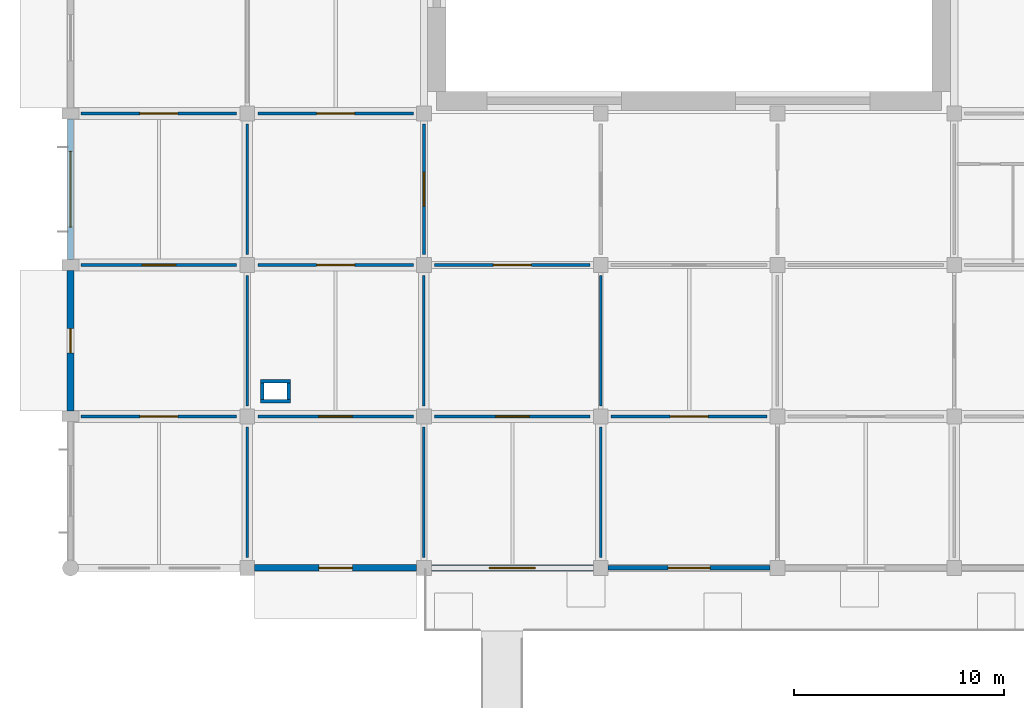
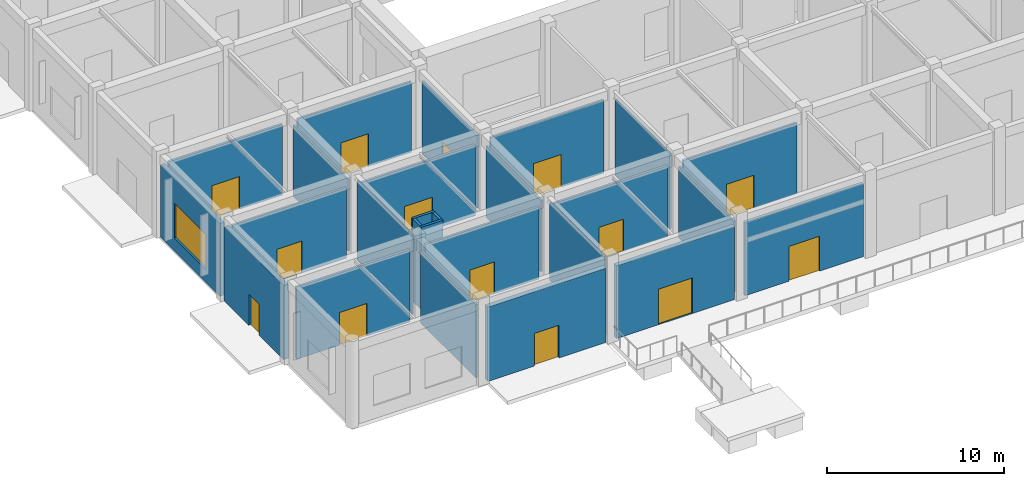
# One storey, part 12 of 39: 26 walls, 14 doors, 1 window, 15 openings.
"""IFC4 building model written with IfcOpenShell, lengths in metres."""

from ifc_helpers import new_model, si_unit, derived_unit, direction, frame, frame_2d, origin, place, context, subcontext, project, spatial, rectangle, extrude, material, layer, layer_set, type_object, element, fill, save


model = new_model("IFC4")

# Units and contexts
model_context = context("Model", 3, precision=1e-05, world=origin(), true_north=direction((0.0, 1.0)))
body_context = subcontext(model_context, "Body", "Model", "MODEL_VIEW")
ifc_project = project(units=[si_unit("LENGTHUNIT", "METRE"), si_unit("AREAUNIT", "SQUARE_METRE"), si_unit("VOLUMEUNIT", "CUBIC_METRE"), si_unit("PLANEANGLEUNIT", "RADIAN"), si_unit("MASSUNIT", "GRAM", prefix="KILO"), derived_unit("THERMALTRANSMITTANCEUNIT", [(si_unit("MASSUNIT", "GRAM", prefix="KILO"), 1), (si_unit("TIMEUNIT", "SECOND"), -3), (si_unit("THERMODYNAMICTEMPERATUREUNIT", "KELVIN"), -1)])], contexts=[model_context])

# Site, building, storey
site_placement = place(None, origin())
site = spatial("IfcSite", under=ifc_project, at=site_placement, CompositionType="ELEMENT")
building_placement = place(site_placement, origin())
building = spatial("IfcBuilding", under=site, at=building_placement, Name="Veldstrom Oceanarium and Marine Research Institute", CompositionType="ELEMENT")
storey_placement = place(building_placement, origin())
storey = spatial("IfcBuildingStorey", under=building, at=storey_placement, Name="L00", CompositionType="ELEMENT", Elevation=0.0)

# Wall, opening, door
ifc_material_1 = material(Name="Masonry Cavity Wall", Category="masonry")
ifc_layer_1 = layer(ifc_material_1, 0.31005859375)
ifc_layer_set_1 = layer_set([ifc_layer_1], Name="ARC-WAL-EW1")
wall_type_1 = type_object("IfcWallType", Name="ARC-WAL-EW1", PredefinedType="SOLIDWALL", material=ifc_layer_set_1)
wall_1_placement = place(storey_placement, frame((0.0, 7.449951171875, 0.0), z_axis=(0.0, 0.0, 1.0), x_axis=(0.0, 1.0, 0.0)))
wall_1 = element("IfcWall", 1, at=wall_1_placement, inside=storey, type_object=wall_type_1, Name="Exterior Facade Wall EW1 L00-003", PredefinedType="SOLIDWALL", context=body_context, shape_type="SweptSolid", body=[
    extrude(rectangle(XDim=6.699951171875, YDim=0.31005859375, at=frame_2d((3.35009765625, 0.0))), origin(), (0.0, 0.0, 1.0), 5.1201171875),
])
opening_1_placement = place(wall_1_placement, frame((2.77490234375, 0.0, 0.0)))
opening_1 = element("IfcOpeningElement", 2, at=opening_1_placement, cuts=wall_1, Name="Opening D-L00-001", PredefinedType="OPENING", context=body_context, shape_type="SweptSolid", body=[
    extrude(rectangle(XDim=1.14990234375, YDim=2.14990234375, at=frame_2d((0.574951171875, 1.074951171875))), frame((0.0, 0.1650390625, 0.0), z_axis=(0.0, -1.0, 0.0), x_axis=(1.0, 0.0, 0.0)), (0.0, 0.0, 1.0), 0.330078125),
])
ifc_material_2 = material(Name="Painted Galvanised Steel Exit Door", Category="steel")
door_type_1 = type_object("IfcDoorType", Name="ARC-DOR-ED5", OperationType="SINGLE_SWING_RIGHT", PredefinedType="DOOR", material=ifc_material_2)
door_1_placement = place(opening_1_placement, origin())
door_1 = element("IfcDoor", 3, at=door_1_placement, inside=storey, type_object=door_type_1, Name="Street Entrance / Exit Door D-L00-001", OperationType="SINGLE_SWING_LEFT", OverallHeight=2.14990234375, OverallWidth=1.14990234375, PredefinedType="DOOR", context=body_context, shape_type="SweptSolid", body=[
    extrude(rectangle(XDim=1.14990234375, YDim=2.14990234375, at=frame_2d((0.574951171875, 1.074951171875))), frame((0.0, 0.02490234375, 0.0), z_axis=(0.0, -1.0, 0.0), x_axis=(1.0, 0.0, 0.0)), (0.0, 0.0, 1.0), 0.050048828125),
])
fill(opening_1, door_1)

wall_2_placement = place(storey_placement, frame((8.75, 0.0, 0.0), z_axis=(0.0, 0.0, 1.0), x_axis=(1.0, 0.0, 0.0)))
wall_2 = element("IfcWall", 4, at=wall_2_placement, inside=storey, type_object=wall_type_1, Name="Exterior Facade Wall EW1 L00-013", PredefinedType="SOLIDWALL", context=body_context, shape_type="SweptSolid", body=[
    extrude(rectangle(XDim=7.699951171875, YDim=0.31005859375, at=frame_2d((3.85009765625, 0.0))), origin(), (0.0, 0.0, 1.0), 5.1201171875),
])
opening_2_placement = place(wall_2_placement, frame((3.050048828125, 0.0, 0.0)))
opening_2 = element("IfcOpeningElement", 5, at=opening_2_placement, cuts=wall_2, Name="Opening D-L00-005", PredefinedType="OPENING", context=body_context, shape_type="SweptSolid", body=[
    extrude(rectangle(XDim=1.60009765625, YDim=2.25, at=frame_2d((0.800048828125, 1.125))), frame((0.0, 0.1650390625, 0.0), z_axis=(0.0, -1.0, 0.0), x_axis=(1.0, 0.0, 0.0)), (0.0, 0.0, 1.0), 0.330078125),
])
ifc_material_3 = material(Name="Painted Galvanised Steel Door", Category="steel")
door_type_2 = type_object("IfcDoorType", Name="ARC-DOR-ED3", OperationType="DOUBLE_DOOR_SINGLE_SWING", PredefinedType="DOOR", material=ifc_material_3)
door_2_placement = place(opening_2_placement, frame((1.60009765625, 0.0, 0.0), z_axis=(0.0, 0.0, 1.0), x_axis=(-1.0, 0.0, 0.0)))
door_2 = element("IfcDoor", 6, at=door_2_placement, inside=storey, type_object=door_type_2, Name="Street Entrance / Exit Door D-L00-005", OperationType="DOUBLE_DOOR_SINGLE_SWING", OverallHeight=2.25, OverallWidth=1.60009765625, PredefinedType="DOOR", context=body_context, shape_type="SweptSolid", body=[
    extrude(rectangle(XDim=1.60009765625, YDim=2.25, at=frame_2d((0.800048828125, 1.125))), frame((0.0, 0.02490234375, 0.0), z_axis=(0.0, -1.0, 0.0), x_axis=(1.0, 0.0, 0.0)), (0.0, 0.0, 1.0), 0.050048828125),
])
fill(opening_2, door_2)

# Wall, opening, window
ifc_material_4 = material(Name="Masonry Cavity Wall", Category="masonry")
ifc_layer_2 = layer(ifc_material_4, 0.2900390625)
ifc_layer_set_2 = layer_set([ifc_layer_2], Name="ARC-WAL-EW2")
wall_type_2 = type_object("IfcWallType", Name="ARC-WAL-EW2", PredefinedType="SOLIDWALL", material=ifc_layer_set_2)
wall_3_placement = place(storey_placement, frame((0.0, 14.64990234375, 0.0), z_axis=(0.0, 0.0, 1.0), x_axis=(0.0, 1.0, 0.0)))
wall_3 = element("IfcWall", 7, at=wall_3_placement, inside=storey, type_object=wall_type_2, Name="Exterior Facade Wall EW2 L00-004", PredefinedType="SOLIDWALL", context=body_context, shape_type="SweptSolid", body=[
    extrude(rectangle(XDim=6.7001953125, YDim=0.2900390625, at=frame_2d((3.35009765625, 0.0))), origin(), (0.0, 0.0, 1.0), 5.02001953125),
])
opening_3_placement = place(wall_3_placement, frame((1.550048828125, 0.0, 0.89990234375)))
opening_3 = element("IfcOpeningElement", 8, at=opening_3_placement, cuts=wall_3, Name="Opening W11", PredefinedType="OPENING", context=body_context, shape_type="SweptSolid", body=[
    extrude(rectangle(XDim=3.60009765625, YDim=2.39990234375, at=frame_2d((1.800048828125, 1.199951171875))), frame((0.0, 0.155029296875, 0.0), z_axis=(0.0, -1.0, 0.0), x_axis=(1.0, 0.0, 0.0)), (0.0, 0.0, 1.0), 0.31005859375),
])
ifc_material_5 = material(Name="Double Glazed Low-E IGU", Category="glass")
window_type = type_object("IfcWindowType", Name="ARC-WIN-W11", PartitioningType="SINGLE_PANEL", PredefinedType="WINDOW", material=ifc_material_5)
window_placement = place(opening_3_placement, origin())
window = element("IfcWindow", 9, at=window_placement, inside=storey, type_object=window_type, Name="Facade Window W11 L00-0004", OverallHeight=2.39990234375, OverallWidth=3.60009765625, PartitioningType="SINGLE_PANEL", PredefinedType="WINDOW", context=body_context, shape_type="SweptSolid", body=[
    extrude(rectangle(XDim=3.60009765625, YDim=2.39990234375, at=frame_2d((1.800048828125, 1.199951171875))), frame((0.0, 0.030029296875, 0.0), z_axis=(0.0, -1.0, 0.0), x_axis=(1.0, 0.0, 0.0)), (0.0, 0.0, 1.0), 0.06005859375),
])
fill(opening_3, window)

# Wall, opening, door
ifc_material_6 = material(Name="Masonry Cavity Wall", Category="masonry")
ifc_layer_3 = layer(ifc_material_6, 0.27001953125)
ifc_layer_set_3 = layer_set([ifc_layer_3], Name="ARC-WAL-EW3")
wall_type_3 = type_object("IfcWallType", Name="ARC-WAL-EW3", PredefinedType="SOLIDWALL", material=ifc_layer_set_3)
wall_4_placement = place(storey_placement, frame((17.14990234375, 0.0, 0.0), z_axis=(0.0, 0.0, 1.0), x_axis=(1.0, 0.0, 0.0)))
wall_4 = element("IfcWall", 10, at=wall_4_placement, inside=storey, type_object=wall_type_3, Name="Exterior Facade Wall EW3 L00-015", PredefinedType="SOLIDWALL", context=body_context, shape_type="SweptSolid", body=[
    extrude(rectangle(XDim=7.7001953125, YDim=0.27001953125, at=frame_2d((3.85009765625, 0.0))), origin(), (0.0, 0.0, 1.0), 5.02001953125),
])
opening_4_placement = place(wall_4_placement, frame((2.75, 0.0, 0.0)))
opening_4 = element("IfcOpeningElement", 11, at=opening_4_placement, cuts=wall_4, Name="Opening D-L00-006", PredefinedType="OPENING", context=body_context, shape_type="SweptSolid", body=[
    extrude(rectangle(XDim=2.199951171875, YDim=2.449951171875, at=frame_2d((1.10009765625, 1.22509765625))), frame((0.0, 0.14501953125, 0.0), z_axis=(0.0, -1.0, 0.0), x_axis=(1.0, 0.0, 0.0)), (0.0, 0.0, 1.0), 0.2900390625),
])
ifc_material_7 = material(Name="Anodised Aluminium Main Entrance Door", Category="aluminium")
door_type_3 = type_object("IfcDoorType", Name="ARC-DOR-ED6", OperationType="DOUBLE_DOOR_SINGLE_SWING", PredefinedType="DOOR", material=ifc_material_7)
door_3_placement = place(opening_4_placement, frame((2.199951171875, 0.0, 0.0), z_axis=(0.0, 0.0, 1.0), x_axis=(-1.0, 0.0, 0.0)))
door_3 = element("IfcDoor", 12, at=door_3_placement, inside=storey, type_object=door_type_3, Name="Street Entrance / Exit Door D-L00-006", OperationType="DOUBLE_DOOR_SINGLE_SWING", OverallHeight=2.449951171875, OverallWidth=2.199951171875, PredefinedType="DOOR", context=body_context, shape_type="SweptSolid", body=[
    extrude(rectangle(XDim=2.199951171875, YDim=2.449951171875, at=frame_2d((1.10009765625, 1.22509765625))), frame((0.0, 0.02490234375, 0.0), z_axis=(0.0, -1.0, 0.0), x_axis=(1.0, 0.0, 0.0)), (0.0, 0.0, 1.0), 0.050048828125),
])
fill(opening_4, door_3)

ifc_material_8 = material(Name="Masonry Cavity Wall", Category="masonry")
ifc_layer_4 = layer(ifc_material_8, 0.215087890625)
ifc_layer_set_4 = layer_set([ifc_layer_4], Name="ARC-WAL-EW6")
wall_type_4 = type_object("IfcWallType", Name="ARC-WAL-EW6", PredefinedType="SOLIDWALL", material=ifc_layer_set_4)
wall_5_placement = place(storey_placement, frame((25.550048828125, 0.0, 0.0), z_axis=(0.0, 0.0, 1.0), x_axis=(1.0, 0.0, 0.0)))
wall_5 = element("IfcWall", 13, at=wall_5_placement, inside=storey, type_object=wall_type_4, Name="Exterior Facade Wall EW6 L00-017", PredefinedType="SOLIDWALL", context=body_context, shape_type="SweptSolid", body=[
    extrude(rectangle(XDim=7.699951171875, YDim=0.215087890625, at=frame_2d((3.85009765625, 0.0))), origin(), (0.0, 0.0, 1.0), 5.02001953125),
])
opening_5_placement = place(wall_5_placement, frame((2.85009765625, 0.0, 0.0)))
opening_5 = element("IfcOpeningElement", 14, at=opening_5_placement, cuts=wall_5, Name="Opening D-L00-007", PredefinedType="OPENING", context=body_context, shape_type="SweptSolid", body=[
    extrude(rectangle(XDim=2.0, YDim=2.39990234375, at=frame_2d((1.0, 1.199951171875))), frame((0.0, 0.117431640625, 0.0), z_axis=(0.0, -1.0, 0.0), x_axis=(1.0, 0.0, 0.0)), (0.0, 0.0, 1.0), 0.235107421875),
])
ifc_material_9 = material(Name="Anodised Aluminium Glazed Door", Category="aluminium")
door_type_4 = type_object("IfcDoorType", Name="ARC-DOR-ED1", OperationType="DOUBLE_DOOR_SINGLE_SWING", PredefinedType="DOOR", material=ifc_material_9)
door_4_placement = place(opening_5_placement, frame((2.0, 0.0, 0.0), z_axis=(0.0, 0.0, 1.0), x_axis=(-1.0, 0.0, 0.0)))
door_4 = element("IfcDoor", 15, at=door_4_placement, inside=storey, type_object=door_type_4, Name="Street Entrance / Exit Door D-L00-007", OperationType="DOUBLE_DOOR_SINGLE_SWING", OverallHeight=2.39990234375, OverallWidth=2.0, PredefinedType="DOOR", context=body_context, shape_type="SweptSolid", body=[
    extrude(rectangle(XDim=2.0, YDim=2.39990234375, at=frame_2d((1.0, 1.199951171875))), frame((0.0, 0.02490234375, 0.0), z_axis=(0.0, -1.0, 0.0), x_axis=(1.0, 0.0, 0.0)), (0.0, 0.0, 1.0), 0.050048828125),
])
fill(opening_5, door_4)

ifc_material_10 = material(Name="Drywall Corridor Partition", Category="gypsum")
ifc_layer_5 = layer(ifc_material_10, 0.155029296875)
ifc_layer_set_5 = layer_set([ifc_layer_5], Name="ARC-WAL-PT4")
wall_type_5 = type_object("IfcWallType", Name="ARC-WAL-PT4", PredefinedType="PARTITIONING", material=ifc_layer_set_5)
wall_6_placement = place(storey_placement, frame((0.5, 7.199951171875, 0.0), z_axis=(0.0, 0.0, 1.0), x_axis=(1.0, 0.0, 0.0)))
wall_6 = element("IfcWall", 16, at=wall_6_placement, inside=storey, type_object=wall_type_5, Name="Interior Partition PT4 L00-0572", PredefinedType="PARTITIONING", context=body_context, shape_type="SweptSolid", body=[
    extrude(rectangle(XDim=7.39990234375, YDim=0.155029296875, at=frame_2d((3.699951171875, 0.0))), origin(), (0.0, 0.0, 1.0), 4.969970703125),
])
opening_6_placement = place(wall_6_placement, frame((2.800048828125, 0.0, 0.0)))
opening_6 = element("IfcOpeningElement", 17, at=opening_6_placement, cuts=wall_6, Name="Opening D-L00-334", PredefinedType="OPENING", context=body_context, shape_type="SweptSolid", body=[
    extrude(rectangle(XDim=1.800048828125, YDim=2.25, at=frame_2d((0.89990234375, 1.125))), frame((0.0, 0.08740234375, 0.0), z_axis=(0.0, -1.0, 0.0), x_axis=(1.0, 0.0, 0.0)), (0.0, 0.0, 1.0), 0.175048828125),
])
ifc_material_11 = material(Name="Acoustic Timber Gallery Door", Category="wood")
door_type_5 = type_object("IfcDoorType", Name="ARC-DOR-ID01", OperationType="DOUBLE_DOOR_SINGLE_SWING", PredefinedType="DOOR", material=ifc_material_11)
door_5_placement = place(opening_6_placement, origin())
door_5 = element("IfcDoor", 18, at=door_5_placement, inside=storey, type_object=door_type_5, Name="Interior Door D-L00-334", OperationType="DOUBLE_DOOR_SINGLE_SWING", OverallHeight=2.25, OverallWidth=1.800048828125, PredefinedType="DOOR", context=body_context, shape_type="SweptSolid", body=[
    extrude(rectangle(XDim=1.800048828125, YDim=2.25, at=frame_2d((0.89990234375, 1.125))), frame((0.0, 0.02490234375, 0.0), z_axis=(0.0, -1.0, 0.0), x_axis=(1.0, 0.0, 0.0)), (0.0, 0.0, 1.0), 0.050048828125),
])
fill(opening_6, door_5)

wall_7_placement = place(storey_placement, frame((0.5, 21.60009765625, 0.0), z_axis=(0.0, 0.0, 1.0), x_axis=(1.0, 0.0, 0.0)))
wall_7 = element("IfcWall", 19, at=wall_7_placement, inside=storey, type_object=wall_type_5, Name="Interior Partition PT4 L00-0576", PredefinedType="PARTITIONING", context=body_context, shape_type="SweptSolid", body=[
    extrude(rectangle(XDim=7.39990234375, YDim=0.155029296875, at=frame_2d((3.699951171875, 0.0))), origin(), (0.0, 0.0, 1.0), 4.8701171875),
])
opening_7_placement = place(wall_7_placement, frame((2.800048828125, 0.0, 0.0)))
opening_7 = element("IfcOpeningElement", 20, at=opening_7_placement, cuts=wall_7, Name="Opening D-L00-336", PredefinedType="OPENING", context=body_context, shape_type="SweptSolid", body=[
    extrude(rectangle(XDim=1.800048828125, YDim=2.25, at=frame_2d((0.89990234375, 1.125))), frame((0.0, 0.08740234375, 0.0), z_axis=(0.0, -1.0, 0.0), x_axis=(1.0, 0.0, 0.0)), (0.0, 0.0, 1.0), 0.175048828125),
])
door_6_placement = place(opening_7_placement, origin())
door_6 = element("IfcDoor", 21, at=door_6_placement, inside=storey, type_object=door_type_5, Name="Interior Door D-L00-336", OperationType="DOUBLE_DOOR_SINGLE_SWING", OverallHeight=2.25, OverallWidth=1.800048828125, PredefinedType="DOOR", context=body_context, shape_type="SweptSolid", body=[
    extrude(rectangle(XDim=1.800048828125, YDim=2.25, at=frame_2d((0.89990234375, 1.125))), frame((0.0, 0.02490234375, 0.0), z_axis=(0.0, -1.0, 0.0), x_axis=(1.0, 0.0, 0.0)), (0.0, 0.0, 1.0), 0.050048828125),
])
fill(opening_7, door_6)

wall_8_placement = place(storey_placement, frame((8.89990234375, 14.39990234375, 0.0), z_axis=(0.0, 0.0, 1.0), x_axis=(1.0, 0.0, 0.0)))
wall_8 = element("IfcWall", 22, at=wall_8_placement, inside=storey, type_object=wall_type_5, Name="Interior Partition PT4 L00-0593", PredefinedType="PARTITIONING", context=body_context, shape_type="SweptSolid", body=[
    extrude(rectangle(XDim=7.400146484375, YDim=0.155029296875, at=frame_2d((3.7001953125, 0.0))), origin(), (0.0, 0.0, 1.0), 4.8701171875),
])
opening_8_placement = place(wall_8_placement, frame((2.800048828125, 0.0, 0.0)))
opening_8 = element("IfcOpeningElement", 23, at=opening_8_placement, cuts=wall_8, Name="Opening D-L00-346", PredefinedType="OPENING", context=body_context, shape_type="SweptSolid", body=[
    extrude(rectangle(XDim=1.800048828125, YDim=2.25, at=frame_2d((0.89990234375, 1.125))), frame((0.0, 0.08740234375, 0.0), z_axis=(0.0, -1.0, 0.0), x_axis=(1.0, 0.0, 0.0)), (0.0, 0.0, 1.0), 0.175048828125),
])
door_7_placement = place(opening_8_placement, frame((1.800048828125, 0.0, 0.0), z_axis=(0.0, 0.0, 1.0), x_axis=(-1.0, 0.0, 0.0)))
door_7 = element("IfcDoor", 24, at=door_7_placement, inside=storey, type_object=door_type_5, Name="Interior Door D-L00-346", OperationType="DOUBLE_DOOR_SINGLE_SWING", OverallHeight=2.25, OverallWidth=1.800048828125, PredefinedType="DOOR", context=body_context, shape_type="SweptSolid", body=[
    extrude(rectangle(XDim=1.800048828125, YDim=2.25, at=frame_2d((0.89990234375, 1.125))), frame((0.0, 0.02490234375, 0.0), z_axis=(0.0, -1.0, 0.0), x_axis=(1.0, 0.0, 0.0)), (0.0, 0.0, 1.0), 0.050048828125),
])
fill(opening_8, door_7)

wall_9_placement = place(storey_placement, frame((17.300048828125, 7.199951171875, 0.0), z_axis=(0.0, 0.0, 1.0), x_axis=(1.0, 0.0, 0.0)))
wall_9 = element("IfcWall", 25, at=wall_9_placement, inside=storey, type_object=wall_type_5, Name="Interior Partition PT4 L00-0608", PredefinedType="PARTITIONING", context=body_context, shape_type="SweptSolid", body=[
    extrude(rectangle(XDim=7.39990234375, YDim=0.155029296875, at=frame_2d((3.699951171875, 0.0))), origin(), (0.0, 0.0, 1.0), 4.8701171875),
])
opening_9_placement = place(wall_9_placement, frame((2.89990234375, 0.0, 0.0)))
opening_9 = element("IfcOpeningElement", 26, at=opening_9_placement, cuts=wall_9, Name="Opening D-L00-355", PredefinedType="OPENING", context=body_context, shape_type="SweptSolid", body=[
    extrude(rectangle(XDim=1.60009765625, YDim=2.199951171875, at=frame_2d((0.800048828125, 1.10009765625))), frame((0.0, 0.08740234375, 0.0), z_axis=(0.0, -1.0, 0.0), x_axis=(1.0, 0.0, 0.0)), (0.0, 0.0, 1.0), 0.175048828125),
])
ifc_material_12 = material(Name="Acoustic Timber Corridor Door", Category="wood")
door_type_6 = type_object("IfcDoorType", Name="ARC-DOR-ID02", OperationType="DOUBLE_DOOR_SINGLE_SWING", PredefinedType="DOOR", material=ifc_material_12)
door_8_placement = place(opening_9_placement, frame((1.60009765625, 0.0, 0.0), z_axis=(0.0, 0.0, 1.0), x_axis=(-1.0, 0.0, 0.0)))
door_8 = element("IfcDoor", 27, at=door_8_placement, inside=storey, type_object=door_type_6, Name="Interior Door D-L00-355", OperationType="DOUBLE_DOOR_SINGLE_SWING", OverallHeight=2.199951171875, OverallWidth=1.60009765625, PredefinedType="DOOR", context=body_context, shape_type="SweptSolid", body=[
    extrude(rectangle(XDim=1.60009765625, YDim=2.199951171875, at=frame_2d((0.800048828125, 1.10009765625))), frame((0.0, 0.02490234375, 0.0), z_axis=(0.0, -1.0, 0.0), x_axis=(1.0, 0.0, 0.0)), (0.0, 0.0, 1.0), 0.050048828125),
])
fill(opening_9, door_8)

ifc_material_13 = material(Name="Moisture-Resistant Wet-Area Partition", Category="masonry")
ifc_layer_6 = layer(ifc_material_13, 0.139892578125)
ifc_layer_set_6 = layer_set([ifc_layer_6], Name="ARC-WAL-PT5")
wall_type_6 = type_object("IfcWallType", Name="ARC-WAL-PT5", PredefinedType="PARTITIONING", material=ifc_layer_set_6)
wall_10_placement = place(storey_placement, frame((0.5, 14.39990234375, 0.0), z_axis=(0.0, 0.0, 1.0), x_axis=(1.0, 0.0, 0.0)))
wall_10 = element("IfcWall", 28, at=wall_10_placement, inside=storey, type_object=wall_type_6, Name="Interior Partition PT5 L00-0574", PredefinedType="PARTITIONING", context=body_context, shape_type="SweptSolid", body=[
    extrude(rectangle(XDim=7.39990234375, YDim=0.139892578125, at=frame_2d((3.699951171875, 0.0))), origin(), (0.0, 0.0, 1.0), 4.8701171875),
])
opening_10_placement = place(wall_10_placement, frame((2.89990234375, 0.0, 0.0)))
opening_10 = element("IfcOpeningElement", 29, at=opening_10_placement, cuts=wall_10, Name="Opening D-L00-335", PredefinedType="OPENING", context=body_context, shape_type="SweptSolid", body=[
    extrude(rectangle(XDim=1.60009765625, YDim=2.199951171875, at=frame_2d((0.800048828125, 1.10009765625))), frame((0.0, 0.079833984375, 0.0), z_axis=(0.0, -1.0, 0.0), x_axis=(1.0, 0.0, 0.0)), (0.0, 0.0, 1.0), 0.159912109375),
])
door_9_placement = place(opening_10_placement, frame((1.60009765625, 0.0, 0.0), z_axis=(0.0, 0.0, 1.0), x_axis=(-1.0, 0.0, 0.0)))
door_9 = element("IfcDoor", 30, at=door_9_placement, inside=storey, type_object=door_type_6, Name="Interior Door D-L00-335", OperationType="DOUBLE_DOOR_SINGLE_SWING", OverallHeight=2.199951171875, OverallWidth=1.60009765625, PredefinedType="DOOR", context=body_context, shape_type="SweptSolid", body=[
    extrude(rectangle(XDim=1.60009765625, YDim=2.199951171875, at=frame_2d((0.800048828125, 1.10009765625))), frame((0.0, 0.02490234375, 0.0), z_axis=(0.0, -1.0, 0.0), x_axis=(1.0, 0.0, 0.0)), (0.0, 0.0, 1.0), 0.050048828125),
])
fill(opening_10, door_9)

wall_11_placement = place(storey_placement, frame((8.89990234375, 7.199951171875, 0.0), z_axis=(0.0, 0.0, 1.0), x_axis=(1.0, 0.0, 0.0)))
wall_11 = element("IfcWall", 31, at=wall_11_placement, inside=storey, type_object=wall_type_6, Name="Interior Partition PT5 L00-0591", PredefinedType="PARTITIONING", context=body_context, shape_type="SweptSolid", body=[
    extrude(rectangle(XDim=7.400146484375, YDim=0.139892578125, at=frame_2d((3.7001953125, 0.0))), origin(), (0.0, 0.0, 1.0), 4.969970703125),
])
opening_11_placement = place(wall_11_placement, frame((2.89990234375, 0.0, 0.0)))
opening_11 = element("IfcOpeningElement", 32, at=opening_11_placement, cuts=wall_11, Name="Opening D-L00-345", PredefinedType="OPENING", context=body_context, shape_type="SweptSolid", body=[
    extrude(rectangle(XDim=1.60009765625, YDim=2.199951171875, at=frame_2d((0.800048828125, 1.10009765625))), frame((0.0, 0.079833984375, 0.0), z_axis=(0.0, -1.0, 0.0), x_axis=(1.0, 0.0, 0.0)), (0.0, 0.0, 1.0), 0.159912109375),
])
door_10_placement = place(opening_11_placement, frame((1.60009765625, 0.0, 0.0), z_axis=(0.0, 0.0, 1.0), x_axis=(-1.0, 0.0, 0.0)))
door_10 = element("IfcDoor", 33, at=door_10_placement, inside=storey, type_object=door_type_6, Name="Interior Door D-L00-345", OperationType="DOUBLE_DOOR_SINGLE_SWING", OverallHeight=2.199951171875, OverallWidth=1.60009765625, PredefinedType="DOOR", context=body_context, shape_type="SweptSolid", body=[
    extrude(rectangle(XDim=1.60009765625, YDim=2.199951171875, at=frame_2d((0.800048828125, 1.10009765625))), frame((0.0, 0.02490234375, 0.0), z_axis=(0.0, -1.0, 0.0), x_axis=(1.0, 0.0, 0.0)), (0.0, 0.0, 1.0), 0.050048828125),
])
fill(opening_11, door_10)

wall_12_placement = place(storey_placement, frame((16.800048828125, 14.89990234375, 0.0), z_axis=(0.0, 0.0, 1.0), x_axis=(0.0, 1.0, 0.0)))
wall_12 = element("IfcWall", 34, at=wall_12_placement, inside=storey, type_object=wall_type_6, Name="Interior Partition PT5 L00-0594", PredefinedType="PARTITIONING", context=body_context, shape_type="SweptSolid", body=[
    extrude(rectangle(XDim=6.2001953125, YDim=0.139892578125, at=frame_2d((3.10009765625, 0.0))), origin(), (0.0, 0.0, 1.0), 5.02001953125),
])
opening_12_placement = place(wall_12_placement, frame((2.300048828125, 0.0, 0.0)))
opening_12 = element("IfcOpeningElement", 35, at=opening_12_placement, cuts=wall_12, Name="Opening D-L00-347", PredefinedType="OPENING", context=body_context, shape_type="SweptSolid", body=[
    extrude(rectangle(XDim=1.60009765625, YDim=2.199951171875, at=frame_2d((0.800048828125, 1.10009765625))), frame((0.0, 0.079833984375, 0.0), z_axis=(0.0, -1.0, 0.0), x_axis=(1.0, 0.0, 0.0)), (0.0, 0.0, 1.0), 0.159912109375),
])
door_11_placement = place(opening_12_placement, origin())
door_11 = element("IfcDoor", 36, at=door_11_placement, inside=storey, type_object=door_type_6, Name="Interior Door D-L00-347", OperationType="DOUBLE_DOOR_SINGLE_SWING", OverallHeight=2.199951171875, OverallWidth=1.60009765625, PredefinedType="DOOR", context=body_context, shape_type="SweptSolid", body=[
    extrude(rectangle(XDim=1.60009765625, YDim=2.199951171875, at=frame_2d((0.800048828125, 1.10009765625))), frame((0.0, 0.02490234375, 0.0), z_axis=(0.0, -1.0, 0.0), x_axis=(1.0, 0.0, 0.0)), (0.0, 0.0, 1.0), 0.050048828125),
])
fill(opening_12, door_11)

wall_13_placement = place(storey_placement, frame((8.89990234375, 21.60009765625, 0.0), z_axis=(0.0, 0.0, 1.0), x_axis=(1.0, 0.0, 0.0)))
wall_13 = element("IfcWall", 37, at=wall_13_placement, inside=storey, type_object=wall_type_6, Name="Interior Partition PT5 L00-0595", PredefinedType="PARTITIONING", context=body_context, shape_type="SweptSolid", body=[
    extrude(rectangle(XDim=7.400146484375, YDim=0.139892578125, at=frame_2d((3.7001953125, 0.0))), origin(), (0.0, 0.0, 1.0), 4.8701171875),
])
opening_13_placement = place(wall_13_placement, frame((2.800048828125, 0.0, 0.0)))
opening_13 = element("IfcOpeningElement", 38, at=opening_13_placement, cuts=wall_13, Name="Opening D-L00-348", PredefinedType="OPENING", context=body_context, shape_type="SweptSolid", body=[
    extrude(rectangle(XDim=1.800048828125, YDim=2.25, at=frame_2d((0.89990234375, 1.125))), frame((0.0, 0.079833984375, 0.0), z_axis=(0.0, -1.0, 0.0), x_axis=(1.0, 0.0, 0.0)), (0.0, 0.0, 1.0), 0.159912109375),
])
door_12_placement = place(opening_13_placement, frame((1.800048828125, 0.0, 0.0), z_axis=(0.0, 0.0, 1.0), x_axis=(-1.0, 0.0, 0.0)))
door_12 = element("IfcDoor", 39, at=door_12_placement, inside=storey, type_object=door_type_5, Name="Interior Door D-L00-348", OperationType="DOUBLE_DOOR_SINGLE_SWING", OverallHeight=2.25, OverallWidth=1.800048828125, PredefinedType="DOOR", context=body_context, shape_type="SweptSolid", body=[
    extrude(rectangle(XDim=1.800048828125, YDim=2.25, at=frame_2d((0.89990234375, 1.125))), frame((0.0, 0.02490234375, 0.0), z_axis=(0.0, -1.0, 0.0), x_axis=(1.0, 0.0, 0.0)), (0.0, 0.0, 1.0), 0.050048828125),
])
fill(opening_13, door_12)

wall_14_placement = place(storey_placement, frame((17.300048828125, 14.39990234375, 0.0), z_axis=(0.0, 0.0, 1.0), x_axis=(1.0, 0.0, 0.0)))
wall_14 = element("IfcWall", 40, at=wall_14_placement, inside=storey, type_object=wall_type_6, Name="Interior Partition PT5 L00-0610", PredefinedType="PARTITIONING", context=body_context, shape_type="SweptSolid", body=[
    extrude(rectangle(XDim=7.39990234375, YDim=0.139892578125, at=frame_2d((3.699951171875, 0.0))), origin(), (0.0, 0.0, 1.0), 5.02001953125),
])
opening_14_placement = place(wall_14_placement, frame((2.800048828125, 0.0, 0.0)))
opening_14 = element("IfcOpeningElement", 41, at=opening_14_placement, cuts=wall_14, Name="Opening D-L00-356", PredefinedType="OPENING", context=body_context, shape_type="SweptSolid", body=[
    extrude(rectangle(XDim=1.800048828125, YDim=2.25, at=frame_2d((0.89990234375, 1.125))), frame((0.0, 0.079833984375, 0.0), z_axis=(0.0, -1.0, 0.0), x_axis=(1.0, 0.0, 0.0)), (0.0, 0.0, 1.0), 0.159912109375),
])
door_13_placement = place(opening_14_placement, frame((1.800048828125, 0.0, 0.0), z_axis=(0.0, 0.0, 1.0), x_axis=(-1.0, 0.0, 0.0)))
door_13 = element("IfcDoor", 42, at=door_13_placement, inside=storey, type_object=door_type_5, Name="Interior Door D-L00-356", OperationType="DOUBLE_DOOR_SINGLE_SWING", OverallHeight=2.25, OverallWidth=1.800048828125, PredefinedType="DOOR", context=body_context, shape_type="SweptSolid", body=[
    extrude(rectangle(XDim=1.800048828125, YDim=2.25, at=frame_2d((0.89990234375, 1.125))), frame((0.0, 0.02490234375, 0.0), z_axis=(0.0, -1.0, 0.0), x_axis=(1.0, 0.0, 0.0)), (0.0, 0.0, 1.0), 0.050048828125),
])
fill(opening_14, door_13)

wall_15_placement = place(storey_placement, frame((25.699951171875, 7.199951171875, 0.0), z_axis=(0.0, 0.0, 1.0), x_axis=(1.0, 0.0, 0.0)))
wall_15 = element("IfcWall", 43, at=wall_15_placement, inside=storey, type_object=wall_type_6, Name="Interior Partition PT5 L00-0620", PredefinedType="PARTITIONING", context=body_context, shape_type="SweptSolid", body=[
    extrude(rectangle(XDim=7.400146484375, YDim=0.139892578125, at=frame_2d((3.7001953125, 0.0))), origin(), (0.0, 0.0, 1.0), 4.8701171875),
])
opening_15_placement = place(wall_15_placement, frame((2.800048828125, 0.0, 0.0)))
opening_15 = element("IfcOpeningElement", 44, at=opening_15_placement, cuts=wall_15, Name="Opening D-L00-362", PredefinedType="OPENING", context=body_context, shape_type="SweptSolid", body=[
    extrude(rectangle(XDim=1.800048828125, YDim=2.25, at=frame_2d((0.89990234375, 1.125))), frame((0.0, 0.079833984375, 0.0), z_axis=(0.0, -1.0, 0.0), x_axis=(1.0, 0.0, 0.0)), (0.0, 0.0, 1.0), 0.159912109375),
])
door_14_placement = place(opening_15_placement, frame((1.800048828125, 0.0, 0.0), z_axis=(0.0, 0.0, 1.0), x_axis=(-1.0, 0.0, 0.0)))
door_14 = element("IfcDoor", 45, at=door_14_placement, inside=storey, type_object=door_type_5, Name="Interior Door D-L00-362", OperationType="DOUBLE_DOOR_SINGLE_SWING", OverallHeight=2.25, OverallWidth=1.800048828125, PredefinedType="DOOR", context=body_context, shape_type="SweptSolid", body=[
    extrude(rectangle(XDim=1.800048828125, YDim=2.25, at=frame_2d((0.89990234375, 1.125))), frame((0.0, 0.02490234375, 0.0), z_axis=(0.0, -1.0, 0.0), x_axis=(1.0, 0.0, 0.0)), (0.0, 0.0, 1.0), 0.050048828125),
])
fill(opening_15, door_14)

# Walls
ifc_material_14 = material(Name="Lightweight Studio Partition", Category="gypsum")
ifc_layer_7 = layer(ifc_material_14, 0.1201171875)
ifc_layer_set_7 = layer_set([ifc_layer_7], Name="ARC-WAL-PT6")
wall_type_7 = type_object("IfcWallType", Name="ARC-WAL-PT6", PredefinedType="PARTITIONING", material=ifc_layer_set_7)
wall_16_placement = place(storey_placement, frame((8.39990234375, 0.5, 0.0), z_axis=(0.0, 0.0, 1.0), x_axis=(0.0, 1.0, 0.0)))
element("IfcWall", 46, at=wall_16_placement, inside=storey, type_object=wall_type_7, Name="Interior Partition PT6 L00-0571", PredefinedType="PARTITIONING", context=body_context, shape_type="SweptSolid", body=[
    extrude(rectangle(XDim=6.199951171875, YDim=0.1201171875, at=frame_2d((3.10009765625, 0.0))), origin(), (0.0, 0.0, 1.0), 5.02001953125),
])
wall_17_placement = place(storey_placement, frame((8.39990234375, 7.699951171875, 0.0), z_axis=(0.0, 0.0, 1.0), x_axis=(0.0, 1.0, 0.0)))
element("IfcWall", 47, at=wall_17_placement, inside=storey, type_object=wall_type_7, Name="Interior Partition PT6 L00-0573", PredefinedType="PARTITIONING", context=body_context, shape_type="SweptSolid", body=[
    extrude(rectangle(XDim=6.199951171875, YDim=0.1201171875, at=frame_2d((3.10009765625, 0.0))), origin(), (0.0, 0.0, 1.0), 5.47998046875),
])
wall_18_placement = place(storey_placement, frame((8.39990234375, 14.89990234375, 0.0), z_axis=(0.0, 0.0, 1.0), x_axis=(0.0, 1.0, 0.0)))
element("IfcWall", 48, at=wall_18_placement, inside=storey, type_object=wall_type_7, Name="Interior Partition PT6 L00-0575", PredefinedType="PARTITIONING", context=body_context, shape_type="SweptSolid", body=[
    extrude(rectangle(XDim=6.2001953125, YDim=0.1201171875, at=frame_2d((3.10009765625, 0.0))), origin(), (0.0, 0.0, 1.0), 4.919921875),
])
wall_19_placement = place(storey_placement, frame((16.800048828125, 0.5, 0.0), z_axis=(0.0, 0.0, 1.0), x_axis=(0.0, 1.0, 0.0)))
element("IfcWall", 49, at=wall_19_placement, inside=storey, type_object=wall_type_7, Name="Interior Partition PT6 L00-0590", PredefinedType="PARTITIONING", context=body_context, shape_type="SweptSolid", body=[
    extrude(rectangle(XDim=6.199951171875, YDim=0.1201171875, at=frame_2d((3.10009765625, 0.0))), origin(), (0.0, 0.0, 1.0), 5.3798828125),
])
for number, where, z_axis, x_axis, name in (
    (50, (16.800048828125, 7.699951171875, 0.0), (0.0, 0.0, 1.0), (0.0, 1.0, 0.0), "Interior Partition PT6 L00-0592"),
    (51, (25.199951171875, 0.5, 0.0), (0.0, 0.0, 1.0), (0.0, 1.0, 0.0), "Interior Partition PT6 L00-0607"),
):
    element("IfcWall", number, at=place(storey_placement, frame(where, z_axis=z_axis, x_axis=x_axis)), inside=storey, type_object=wall_type_7, Name=name, PredefinedType="PARTITIONING", context=body_context, shape_type="SweptSolid", body=[
        extrude(rectangle(XDim=6.199951171875, YDim=0.1201171875, at=frame_2d((3.10009765625, 0.0))), origin(), (0.0, 0.0, 1.0), 4.919921875),
    ])
wall_20_placement = place(storey_placement, frame((25.199951171875, 7.699951171875, 0.0), z_axis=(0.0, 0.0, 1.0), x_axis=(0.0, 1.0, 0.0)))
element("IfcWall", 52, at=wall_20_placement, inside=storey, type_object=wall_type_7, Name="Interior Partition PT6 L00-0609", PredefinedType="PARTITIONING", context=body_context, shape_type="SweptSolid", body=[
    extrude(rectangle(XDim=6.199951171875, YDim=0.1201171875, at=frame_2d((3.10009765625, 0.0))), origin(), (0.0, 0.0, 1.0), 5.169921875),
])
ifc_material_15 = material(Name="Service Riser Fire Shaft Wall", Category="masonry")
ifc_layer_8 = layer(ifc_material_15, 0.1650390625)
ifc_layer_set_8 = layer_set([ifc_layer_8], Name="ARC-WAL-PT9")
wall_type_8 = type_object("IfcWallType", Name="ARC-WAL-PT9", PredefinedType="PARTITIONING", material=ifc_layer_set_8)
for number, where, z_axis, x_axis, name in (
    (53, (9.034912109375, 7.91748046875, 0.0), (0.0, 0.0, 1.0), (1.0, 0.0, 0.0), "Service Riser Fire Shaft Wall L00-WS-S"),
    (54, (9.034912109375, 8.882568359375, 0.0), (0.0, 0.0, 1.0), (1.0, 0.0, 0.0), "Service Riser Fire Shaft Wall L00-WS-N"),
):
    element("IfcWall", number, at=place(storey_placement, frame(where, z_axis=z_axis, x_axis=x_axis)), inside=storey, type_object=wall_type_8, Name=name, PredefinedType="PARTITIONING", context=body_context, shape_type="SweptSolid", body=[
        extrude(rectangle(XDim=1.43017578125, YDim=0.1650390625, at=frame_2d((0.715087890625, 0.0))), origin(), (0.0, 0.0, 1.0), 5.675048828125),
    ])
for number, where, z_axis, x_axis, name in (
    (55, (9.117431640625, 8.0, 0.0), (0.0, 0.0, 1.0), (0.0, 1.0, 0.0), "Service Riser Fire Shaft Wall L00-WS-W"),
    (56, (10.382568359375, 8.0, 0.0), (0.0, 0.0, 1.0), (0.0, 1.0, 0.0), "Service Riser Fire Shaft Wall L00-WS-E"),
):
    element("IfcWall", number, at=place(storey_placement, frame(where, z_axis=z_axis, x_axis=x_axis)), inside=storey, type_object=wall_type_8, Name=name, PredefinedType="PARTITIONING", context=body_context, shape_type="SweptSolid", body=[
        extrude(rectangle(XDim=0.800048828125, YDim=0.1650390625, at=frame_2d((0.39990234375, 0.0))), origin(), (0.0, 0.0, 1.0), 5.675048828125),
    ])

save(model, "model.ifc")
